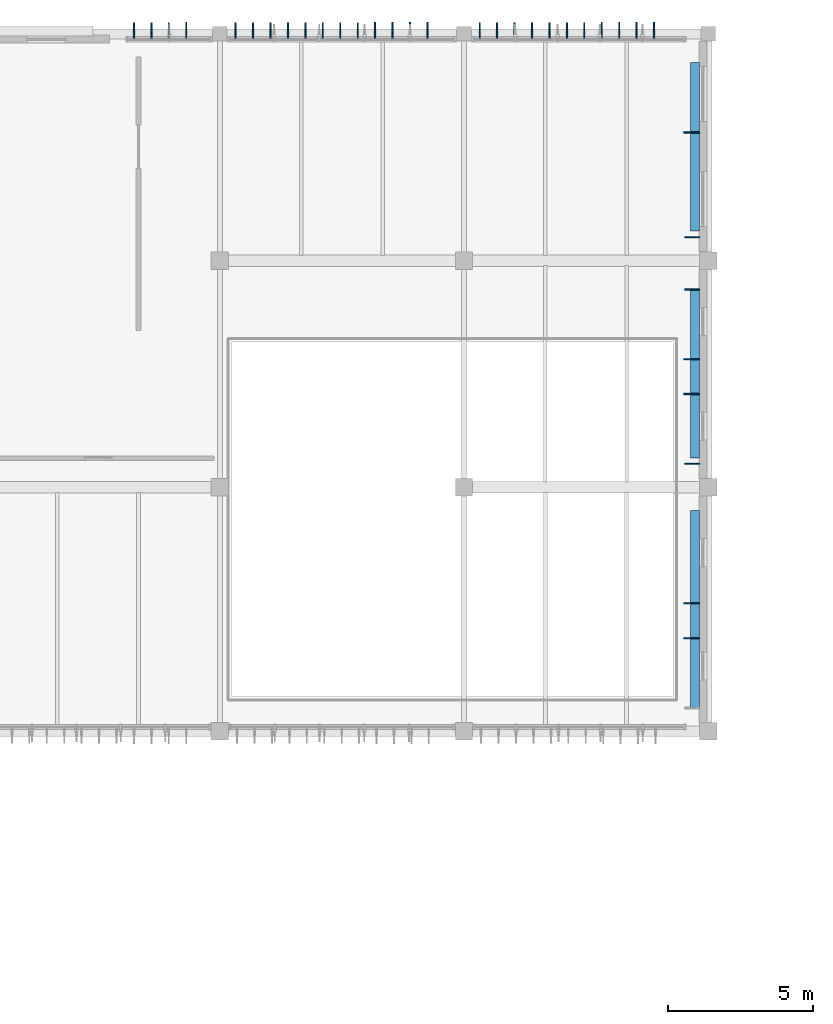
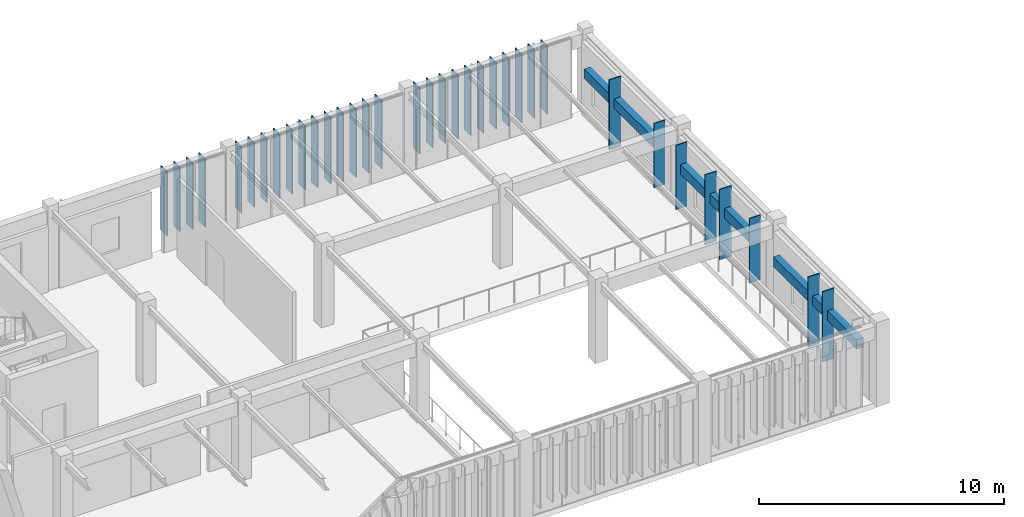
# One storey, part 34 of 122: 38 plates.
"""IFC4 building model written with IfcOpenShell, lengths in metres."""

from ifc_helpers import new_model, si_unit, direction, frame, origin, origin_2d, place, context, subcontext, project, spatial, rectangle, extrude, material, layer, layer_set, type_object, element, save


model = new_model("IFC4")

# Units and contexts
model_context = context("Model", 3, precision=1e-05, world=origin(), true_north=direction((0.0, 1.0)))
body_context = subcontext(model_context, "Body", "Model", "MODEL_VIEW")
ifc_project = project(units=[si_unit("LENGTHUNIT", "METRE"), si_unit("AREAUNIT", "SQUARE_METRE"), si_unit("VOLUMEUNIT", "CUBIC_METRE"), si_unit("PLANEANGLEUNIT", "RADIAN"), si_unit("MASSUNIT", "GRAM", prefix="KILO")], contexts=[model_context])

# Site, building, storey
site_placement = place(None, origin())
site = spatial("IfcSite", under=ifc_project, at=site_placement, CompositionType="ELEMENT")
building_placement = place(site_placement, origin())
building = spatial("IfcBuilding", under=site, at=building_placement, Name="Tazoul Stagehouse", CompositionType="ELEMENT")
storey_placement = place(building_placement, frame((0.0, 0.0, 4.800048828125)))
storey = spatial("IfcBuildingStorey", under=building, at=storey_placement, Name="L01", CompositionType="ELEMENT", Elevation=4.800048828125)

# Plates
ifc_material = material(Name="Anodised Bronze Aluminium 6063-T6", Category="aluminium")
ifc_layer_1 = layer(ifc_material, 0.52001953125, Name="Anodised Bronze Aluminium 6063-T6")
ifc_layer_set_1 = layer_set([ifc_layer_1], Name="Anodised Bronze Aluminium 6063-T6")
plate_type_1 = type_object("IfcPlateType", Name="Parametric Terracotta-Bronze Solar Fin 520x3200", PredefinedType="USERDEFINED", material=ifc_layer_set_1)
for number, where, z_axis, x_axis, name in (
    (1, (130.840087890625, 111.919921875, 0.68994140625), (0.0, 0.0, 1.0), (1.0, 0.0, 0.0), "L01 Parametric Solar Fin SFN-18 (CW-V3-N3-L01-B1-01)"),
    (2, (131.43994140625, 111.919921875, 0.68994140625), (0.0, 0.0, 1.0), (1.0, 0.0, 0.0), "L01 Parametric Solar Fin SFN-18 (CW-V3-N3-L01-B1-02)"),
    (3, (134.93994140625, 111.919921875, 0.68994140625), (0.0, 0.0, 1.0), (1.0, 0.0, 0.0), "L01 Parametric Solar Fin SFN-18 (CW-V3-N3-L01-B2-02)"),
    (4, (135.5400390625, 111.919921875, 0.68994140625), (0.0, 0.0, 1.0), (1.0, 0.0, 0.0), "L01 Parametric Solar Fin SFN-18 (CW-V3-N3-L01-B2-03)"),
    (5, (136.139892578125, 111.919921875, 0.68994140625), (0.0, 0.0, 1.0), (1.0, 0.0, 0.0), "L01 Parametric Solar Fin SFN-18 (CW-V3-N3-L01-B2-04)"),
    (6, (136.739990234375, 111.919921875, 0.68994140625), (0.0, 0.0, 1.0), (1.0, 0.0, 0.0), "L01 Parametric Solar Fin SFN-18 (CW-V3-N3-L01-B2-05)"),
    (7, (137.340087890625, 111.919921875, 0.68994140625), (0.0, 0.0, 1.0), (1.0, 0.0, 0.0), "L01 Parametric Solar Fin SFN-18 (CW-V3-N3-L01-B2-06)"),
    (8, (143.340087890625, 111.919921875, 0.68994140625), (0.0, 0.0, 1.0), (1.0, 0.0, 0.0), "L01 Parametric Solar Fin SFN-18 (CW-V3-N3-L01-B3-02)"),
    (9, (143.93994140625, 111.919921875, 0.68994140625), (0.0, 0.0, 1.0), (1.0, 0.0, 0.0), "L01 Parametric Solar Fin SFN-18 (CW-V3-N3-L01-B3-03)"),
    (10, (144.5400390625, 111.919921875, 0.68994140625), (0.0, 0.0, 1.0), (1.0, 0.0, 0.0), "L01 Parametric Solar Fin SFN-18 (CW-V3-N3-L01-B3-04)"),
    (11, (145.139892578125, 111.919921875, 0.68994140625), (0.0, 0.0, 1.0), (1.0, 0.0, 0.0), "L01 Parametric Solar Fin SFN-18 (CW-V3-N3-L01-B3-05)"),
    (12, (150.050048828125, 97.0048828125, 0.6201171875), (0.0, 0.0, 1.0), (0.0, 1.0, 0.0), "L01 Parametric Solar Fin SFN-18 (WALL-V3-E-L01-S2-01)"),
    (13, (150.050048828125, 103.0048828125, 0.6201171875), (0.0, 0.0, 1.0), (0.0, 1.0, 0.0), "L01 Parametric Solar Fin SFN-18 (WALL-V3-E-L01-S2-06)"),
    (14, (150.050048828125, 104.804931640625, 0.6201171875), (0.0, 0.0, 1.0), (0.0, 1.0, 0.0), "L01 Parametric Solar Fin SFN-18 (WALL-V3-E-L01-S3-01)"),
):
    element("IfcPlate", number, at=place(storey_placement, frame(where, z_axis=z_axis, x_axis=x_axis)), inside=storey, type_object=plate_type_1, Name=name, ObjectType="SOLAR FIN", PredefinedType="USERDEFINED", context=body_context, shape_type="SweptSolid", body=[
        extrude(rectangle(XDim=0.044921875, YDim=0.52001953125, at=origin_2d()), origin(), (0.0, 0.0, 1.0), 3.199951171875),
    ])
ifc_layer_2 = layer(ifc_material, 0.530029296875, Name="Anodised Bronze Aluminium 6063-T6")
ifc_layer_set_2 = layer_set([ifc_layer_2], Name="Anodised Bronze Aluminium 6063-T6")
plate_type_2 = type_object("IfcPlateType", Name="Parametric Terracotta-Bronze Solar Fin 530x3300", PredefinedType="USERDEFINED", material=ifc_layer_set_2)
for number, where, z_axis, x_axis, name in (
    (15, (132.0400390625, 111.925048828125, 0.58984375), (0.0, 0.0, 1.0), (1.0, 0.0, 0.0), "L01 Parametric Solar Fin SFN-19 (CW-V3-N3-L01-B1-03)"),
    (16, (134.340087890625, 111.925048828125, 0.58984375), (0.0, 0.0, 1.0), (1.0, 0.0, 0.0), "L01 Parametric Solar Fin SFN-19 (CW-V3-N3-L01-B2-01)"),
    (17, (137.93994140625, 111.925048828125, 0.58984375), (0.0, 0.0, 1.0), (1.0, 0.0, 0.0), "L01 Parametric Solar Fin SFN-19 (CW-V3-N3-L01-B2-07)"),
    (18, (138.5400390625, 111.925048828125, 0.58984375), (0.0, 0.0, 1.0), (1.0, 0.0, 0.0), "L01 Parametric Solar Fin SFN-19 (CW-V3-N3-L01-B2-08)"),
    (19, (142.739990234375, 111.925048828125, 0.58984375), (0.0, 0.0, 1.0), (1.0, 0.0, 0.0), "L01 Parametric Solar Fin SFN-19 (CW-V3-N3-L01-B3-01)"),
    (20, (145.739990234375, 111.925048828125, 0.58984375), (0.0, 0.0, 1.0), (1.0, 0.0, 0.0), "L01 Parametric Solar Fin SFN-19 (CW-V3-N3-L01-B3-06)"),
    (21, (146.340087890625, 111.925048828125, 0.58984375), (0.0, 0.0, 1.0), (1.0, 0.0, 0.0), "L01 Parametric Solar Fin SFN-19 (CW-V3-N3-L01-B3-07)"),
):
    element("IfcPlate", number, at=place(storey_placement, frame(where, z_axis=z_axis, x_axis=x_axis)), inside=storey, type_object=plate_type_2, Name=name, ObjectType="SOLAR FIN", PredefinedType="USERDEFINED", context=body_context, shape_type="SweptSolid", body=[
        extrude(rectangle(XDim=0.044921875, YDim=0.530029296875, at=origin_2d()), origin(), (0.0, 0.0, 1.0), 3.300048828125),
    ])
ifc_layer_3 = layer(ifc_material, 0.5400390625, Name="Anodised Bronze Aluminium 6063-T6")
ifc_layer_set_3 = layer_set([ifc_layer_3], Name="Anodised Bronze Aluminium 6063-T6")
plate_type_3 = type_object("IfcPlateType", Name="Parametric Terracotta-Bronze Solar Fin 540x3400", PredefinedType="USERDEFINED", material=ifc_layer_set_3)
for number, where, z_axis, x_axis, name in (
    (22, (132.639892578125, 111.929931640625, 0.489990234375), (0.0, 0.0, 1.0), (1.0, 0.0, 0.0), "L01 Parametric Solar Fin SFN-20 (CW-V3-N3-L01-B1-04)"),
    (23, (139.139892578125, 111.929931640625, 0.489990234375), (0.0, 0.0, 1.0), (1.0, 0.0, 0.0), "L01 Parametric Solar Fin SFN-20 (CW-V3-N3-L01-B2-09)"),
    (24, (139.739990234375, 111.929931640625, 0.489990234375), (0.0, 0.0, 1.0), (1.0, 0.0, 0.0), "L01 Parametric Solar Fin SFN-20 (CW-V3-N3-L01-B2-10)"),
    (25, (140.340087890625, 111.929931640625, 0.489990234375), (0.0, 0.0, 1.0), (1.0, 0.0, 0.0), "L01 Parametric Solar Fin SFN-20 (CW-V3-N3-L01-B2-11)"),
    (26, (140.93994140625, 111.929931640625, 0.489990234375), (0.0, 0.0, 1.0), (1.0, 0.0, 0.0), "L01 Parametric Solar Fin SFN-20 (CW-V3-N3-L01-B2-12)"),
    (27, (146.93994140625, 111.929931640625, 0.489990234375), (0.0, 0.0, 1.0), (1.0, 0.0, 0.0), "L01 Parametric Solar Fin SFN-20 (CW-V3-N3-L01-B3-08)"),
    (28, (147.5400390625, 111.929931640625, 0.489990234375), (0.0, 0.0, 1.0), (1.0, 0.0, 0.0), "L01 Parametric Solar Fin SFN-20 (CW-V3-N3-L01-B3-09)"),
    (29, (148.139892578125, 111.929931640625, 0.489990234375), (0.0, 0.0, 1.0), (1.0, 0.0, 0.0), "L01 Parametric Solar Fin SFN-20 (CW-V3-N3-L01-B3-10)"),
    (30, (148.739990234375, 111.929931640625, 0.489990234375), (0.0, 0.0, 1.0), (1.0, 0.0, 0.0), "L01 Parametric Solar Fin SFN-20 (CW-V3-N3-L01-B3-11)"),
):
    element("IfcPlate", number, at=place(storey_placement, frame(where, z_axis=z_axis, x_axis=x_axis)), inside=storey, type_object=plate_type_3, Name=name, ObjectType="SOLAR FIN", PredefinedType="USERDEFINED", context=body_context, shape_type="SweptSolid", body=[
        extrude(rectangle(XDim=0.044921875, YDim=0.5400390625, at=origin_2d()), origin(), (0.0, 0.0, 1.0), 3.39990234375),
    ])
ifc_layer_4 = layer(ifc_material, 0.550048828125, Name="Anodised Bronze Aluminium 6063-T6")
ifc_layer_set_4 = layer_set([ifc_layer_4], Name="Anodised Bronze Aluminium 6063-T6")
plate_type_4 = type_object("IfcPlateType", Name="Parametric Terracotta-Bronze Solar Fin 550x3500", PredefinedType="USERDEFINED", material=ifc_layer_set_4)
for number, where, z_axis, x_axis, name in (
    (31, (150.034912109375, 91.0048828125, 0.320068359375), (0.0, 0.0, 1.0), (0.0, 1.0, 0.0), "L01 Parametric Solar Fin SFN-21 (WALL-V3-E-L01-S1-03)"),
    (32, (150.034912109375, 92.205078125, 0.320068359375), (0.0, 0.0, 1.0), (0.0, 1.0, 0.0), "L01 Parametric Solar Fin SFN-21 (WALL-V3-E-L01-S1-04)"),
    (33, (150.034912109375, 99.405029296875, 0.320068359375), (0.0, 0.0, 1.0), (0.0, 1.0, 0.0), "L01 Parametric Solar Fin SFN-21 (WALL-V3-E-L01-S2-03)"),
    (34, (150.034912109375, 100.60498046875, 0.320068359375), (0.0, 0.0, 1.0), (0.0, 1.0, 0.0), "L01 Parametric Solar Fin SFN-21 (WALL-V3-E-L01-S2-04)"),
    (35, (150.034912109375, 108.405029296875, 0.320068359375), (0.0, 0.0, 1.0), (0.0, 1.0, 0.0), "L01 Parametric Solar Fin SFN-21 (WALL-V3-E-L01-S3-04)"),
):
    element("IfcPlate", number, at=place(storey_placement, frame(where, z_axis=z_axis, x_axis=x_axis)), inside=storey, type_object=plate_type_4, Name=name, ObjectType="SOLAR FIN", PredefinedType="USERDEFINED", context=body_context, shape_type="SweptSolid", body=[
        extrude(rectangle(XDim=0.044921875, YDim=0.550048828125, at=origin_2d()), origin(), (0.0, 0.0, 1.0), 3.5),
    ])
ifc_layer_5 = layer(ifc_material, 0.320068359375, Name="Anodised Bronze Aluminium 6063-T6")
ifc_layer_set_5 = layer_set([ifc_layer_5], Name="Anodised Bronze Aluminium 6063-T6")
plate_type_5 = type_object("IfcPlateType", Name="Sculpted Facade Spandrel Ribbon 5800x480", PredefinedType="USERDEFINED", material=ifc_layer_set_5)
for number, where, z_axis, x_axis, name in (
    (36, (150.14990234375, 100.10009765625, 2.321044921875), (0.0, 0.0, 1.0), (0.0, 1.0, 0.0), "L01 Sculpted Facade Spandrel Ribbon FRB-08 (WALL-V3-E-L01-S2)"),
    (37, (150.14990234375, 107.925048828125, 2.321044921875), (0.0, 0.0, 1.0), (0.0, 1.0, 0.0), "L01 Sculpted Facade Spandrel Ribbon FRB-08 (WALL-V3-E-L01-S3)"),
):
    element("IfcPlate", number, at=place(storey_placement, frame(where, z_axis=z_axis, x_axis=x_axis)), inside=storey, type_object=plate_type_5, Name=name, ObjectType="FACADE RIBBON", PredefinedType="USERDEFINED", context=body_context, shape_type="SweptSolid", body=[
        extrude(rectangle(XDim=5.800048828125, YDim=0.320068359375, at=origin_2d()), origin(), (0.0, 0.0, 1.0), 0.47998046875),
    ])
ifc_layer_6 = layer(ifc_material, 0.320068359375, Name="Anodised Bronze Aluminium 6063-T6")
ifc_layer_set_6 = layer_set([ifc_layer_6], Name="Anodised Bronze Aluminium 6063-T6")
plate_type_6 = type_object("IfcPlateType", Name="Sculpted Facade Spandrel Ribbon 6800x480", PredefinedType="USERDEFINED", material=ifc_layer_set_6)
plate_placement = place(storey_placement, frame((150.14990234375, 92.0, 2.321044921875), z_axis=(0.0, 0.0, 1.0), x_axis=(0.0, 1.0, 0.0)))
element("IfcPlate", 38, at=plate_placement, inside=storey, type_object=plate_type_6, Name="L01 Sculpted Facade Spandrel Ribbon FRB-10 (WALL-V3-E-L01-S1)", ObjectType="FACADE RIBBON", PredefinedType="USERDEFINED", context=body_context, shape_type="SweptSolid", body=[
    extrude(rectangle(XDim=6.800048828125, YDim=0.320068359375, at=origin_2d()), origin(), (0.0, 0.0, 1.0), 0.47998046875),
])

save(model, "model.ifc")
